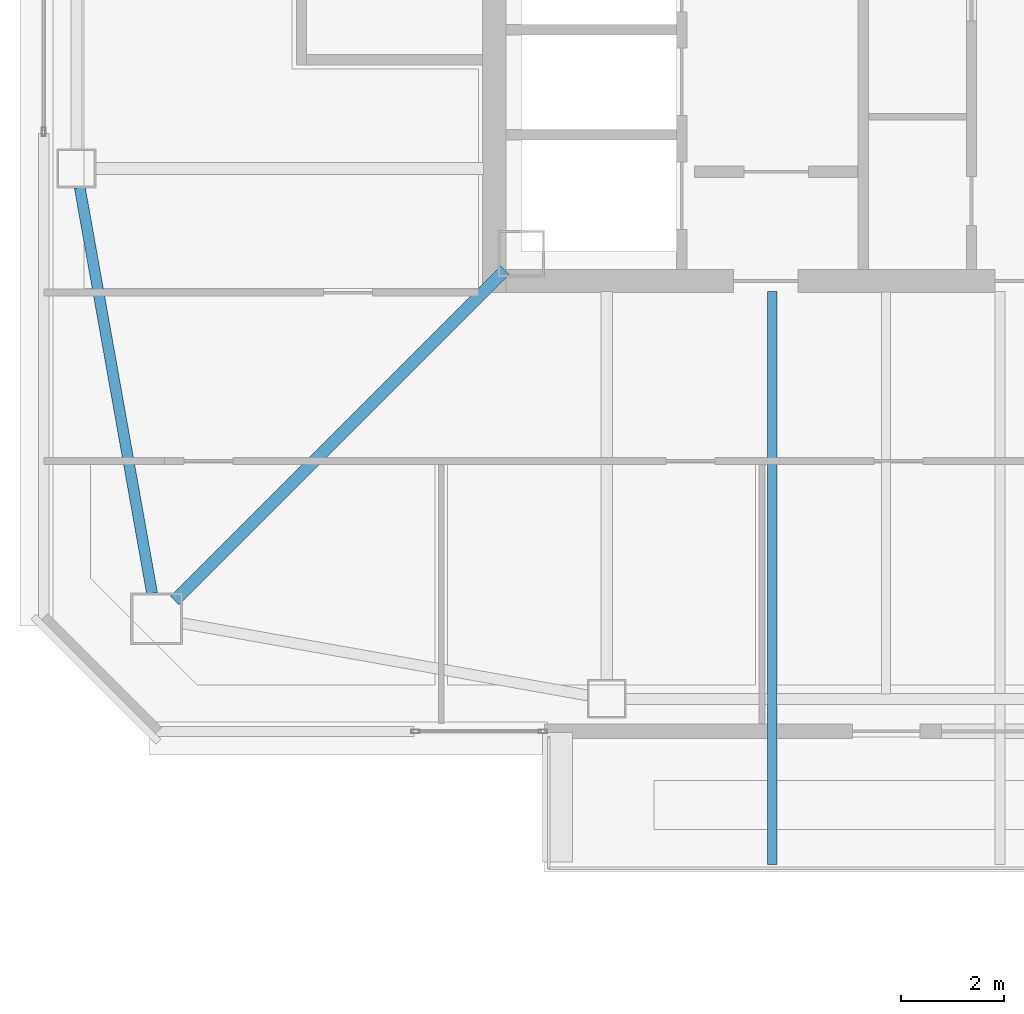
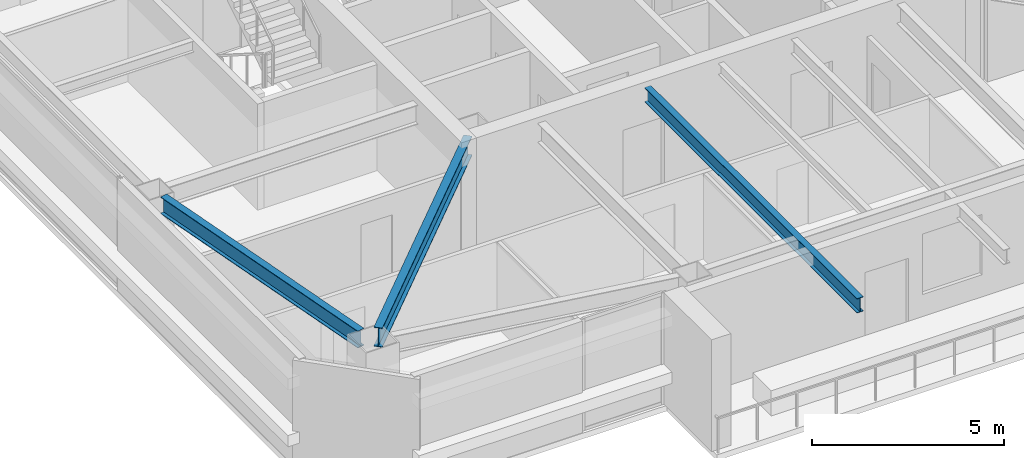
# One storey, part 4 of 39: 3 beams.
"""IFC4 building model written with IfcOpenShell, lengths in metres."""

from ifc_helpers import new_model, si_unit, direction, frame, origin, origin_2d, place, context, subcontext, project, spatial, i_section, extrude, material, material_profile, profile_set, type_object, element, save


model = new_model("IFC4")

# Units and contexts
model_context = context("Model", 3, precision=1e-05, world=origin(), true_north=direction((0.0, 1.0)))
body_context = subcontext(model_context, "Body", "Model", "MODEL_VIEW")
ifc_project = project(units=[si_unit("LENGTHUNIT", "METRE"), si_unit("AREAUNIT", "SQUARE_METRE"), si_unit("VOLUMEUNIT", "CUBIC_METRE"), si_unit("PLANEANGLEUNIT", "RADIAN"), si_unit("MASSUNIT", "GRAM", prefix="KILO")], contexts=[model_context])

# Site, building, storey
site_placement = place(None, origin())
site = spatial("IfcSite", under=ifc_project, at=site_placement, CompositionType="ELEMENT")
building_placement = place(site_placement, origin())
building = spatial("IfcBuilding", under=site, at=building_placement, Name="Tashvorn Skyway Center", CompositionType="ELEMENT")
storey_placement = place(building_placement, frame((0.0, 0.0, 225.5)))
storey = spatial("IfcBuildingStorey", under=building, at=storey_placement, Name="L61", CompositionType="ELEMENT", Elevation=225.5)

# Beams
ifc_material = material(Name="Steel ASTM A992 Grade 50", Category="steel")
ifc_material_profile_1 = material_profile(ifc_material, i_section(OverallWidth=0.22998046875, OverallDepth=0.616943359375, WebThickness=0.01318359375, FlangeThickness=0.022216796875, at=origin_2d()), Name="W24X94")
ifc_profile_set_1 = profile_set([ifc_material_profile_1], Name="Steel ASTM A992 Grade 50")
beam_type_1 = type_object("IfcBeamType", Name="BM-BEAM-W24X94", PredefinedType="BEAM", material=ifc_profile_set_1)
beam_1_placement = place(storey_placement, frame((28.25, 18.25, 3.0615234375), z_axis=(0.707106781187, 0.707106781187, 0.0), x_axis=(-0.707106781187, 0.707106781187, 0.0)))
element("IfcBeam", 1, at=beam_1_placement, inside=storey, type_object=beam_type_1, Name="Tower 1 L61 Primary Floor Girder MC-SW", PredefinedType="BEAM", context=body_context, shape_type="SweptSolid", body=[
    extrude(i_section(OverallWidth=0.22998046875, OverallDepth=0.616943359375, WebThickness=0.01318359375, FlangeThickness=0.022216796875, at=origin_2d()), origin(), (0.0, 0.0, 1.0), 9.030029296875),
])
ifc_material_profile_2 = material_profile(ifc_material, i_section(OverallWidth=0.19091796875, OverallDepth=0.4599609375, WebThickness=0.010009765625, FlangeThickness=0.01611328125, at=origin_2d()), Name="W18X55")
ifc_profile_set_2 = profile_set([ifc_material_profile_2], Name="Steel ASTM A992 Grade 50")
beam_type_2 = type_object("IfcBeamType", Name="BM-JOIST-W18X55", PredefinedType="JOIST", material=ifc_profile_set_2)
beam_2_placement = place(storey_placement, frame((39.800048828125, 24.219970703125, 3.139892578125), z_axis=(0.0, -1.0, 0.0), x_axis=(1.0, 0.0, 0.0)))
element("IfcBeam", 2, at=beam_2_placement, inside=storey, type_object=beam_type_2, Name="Tower 1 L62 Terrace Cantilever Outlooker 1", PredefinedType="JOIST", context=body_context, shape_type="SweptSolid", body=[
    extrude(i_section(OverallWidth=0.19091796875, OverallDepth=0.4599609375, WebThickness=0.010009765625, FlangeThickness=0.01611328125, at=origin_2d()), origin(), (0.0, 0.0, 1.0), 11.070068359375),
])
ifc_material_profile_3 = material_profile(ifc_material, i_section(OverallWidth=0.2109375, OverallDepth=0.5390625, WebThickness=0.01171875, FlangeThickness=0.018798828125, at=origin_2d()), Name="W21X73")
ifc_profile_set_3 = profile_set([ifc_material_profile_3], Name="Steel ASTM A992 Grade 50")
beam_type_3 = type_object("IfcBeamType", Name="BM-SPANDREL-W21X73", PredefinedType="SPANDREL", material=ifc_profile_set_3)
beam_3_placement = place(storey_placement, frame((26.414794921875, 26.23583984375, 3.1005859375), z_axis=(0.17541329759, -0.984494883191, 0.0), x_axis=(0.984494883191, 0.17541329759, 0.0)))
element("IfcBeam", 3, at=beam_3_placement, inside=storey, type_object=beam_type_3, Name="Tower 1 L61 Spandrel Beam 12", PredefinedType="SPANDREL", context=body_context, shape_type="SweptSolid", body=[
    extrude(i_section(OverallWidth=0.2109375, OverallDepth=0.5390625, WebThickness=0.01171875, FlangeThickness=0.018798828125, at=origin_2d()), origin(), (0.0, 0.0, 1.0), 7.97216796875),
])

save(model, "model.ifc")
